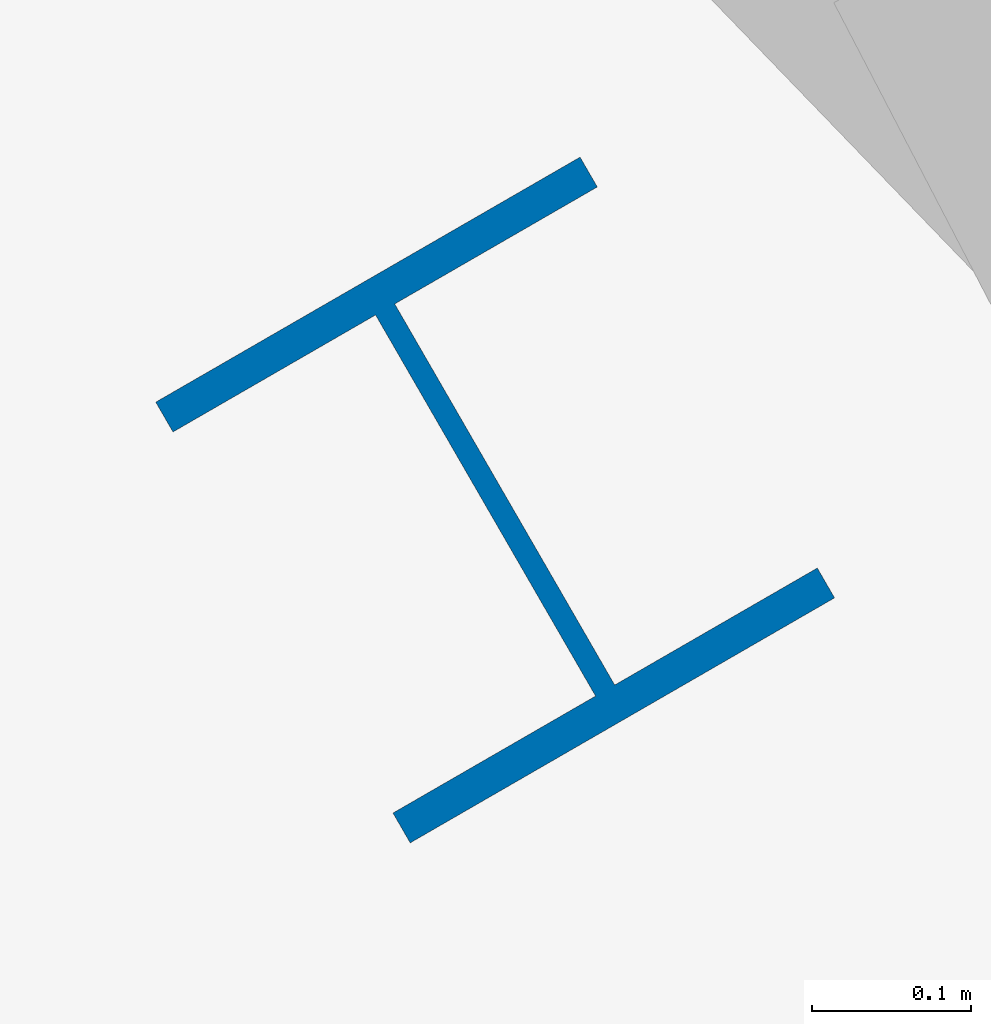
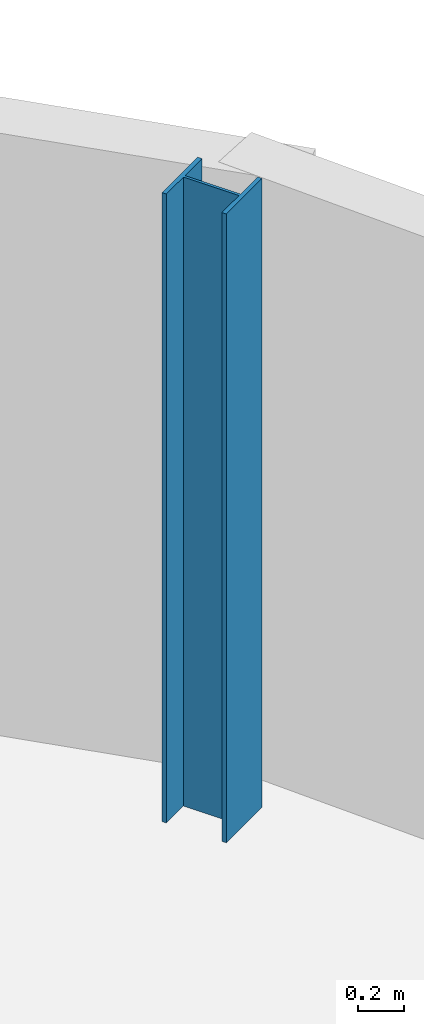
# One storey, part 14 of 35: 1 column.
"""IFC4 building model written with IfcOpenShell, lengths in metres."""

from ifc_helpers import new_model, si_unit, direction, frame, origin, origin_2d, place, context, subcontext, project, spatial, i_section, extrude, material, material_profile, profile_set, type_object, element, save


model = new_model("IFC4")

# Units and contexts
model_context = context("Model", 3, precision=1e-05, world=origin(), true_north=direction((0.0, 1.0)))
body_context = subcontext(model_context, "Body", "Model", "MODEL_VIEW")
ifc_project = project(units=[si_unit("LENGTHUNIT", "METRE"), si_unit("AREAUNIT", "SQUARE_METRE"), si_unit("VOLUMEUNIT", "CUBIC_METRE"), si_unit("PLANEANGLEUNIT", "RADIAN"), si_unit("MASSUNIT", "GRAM", prefix="KILO")], contexts=[model_context])

# Site, building, storey
site_placement = place(None, origin())
site = spatial("IfcSite", under=ifc_project, at=site_placement, CompositionType="ELEMENT")
building_placement = place(site_placement, origin())
building = spatial("IfcBuilding", under=site, at=building_placement, Name="Kalgoora Escarpment Arena", CompositionType="ELEMENT")
storey_placement = place(building_placement, frame((0.0, 0.0, 23.39990234375)))
storey = spatial("IfcBuildingStorey", under=building, at=storey_placement, Name="L05", CompositionType="ELEMENT", Elevation=23.39990234375)

# Column
ifc_material = material(Name="Structural steel AS/NZS 3679 (300 MPa)", Category="steel")
ifc_material_profile = material_profile(ifc_material, i_section(OverallWidth=0.30908203125, OverallDepth=0.321044921875, WebThickness=0.013916015625, FlangeThickness=0.021728515625, at=origin_2d()))
ifc_profile_set = profile_set([ifc_material_profile], Name="Structural steel AS/NZS 3679 (300 MPa)")
column_type = type_object("IfcColumnType", Name="COL-COL-310UC137", PredefinedType="COLUMN", material=ifc_profile_set)
column_placement = place(storey_placement, frame((154.58056640625, 92.5, 0.0), z_axis=(0.0, 0.0, 1.0), x_axis=(0.866025403784, 0.5, 0.0)))
element("IfcColumn", 1, at=column_placement, inside=storey, type_object=column_type, Name="L05 structural column COL-RCONC2-R03", PredefinedType="COLUMN", context=body_context, shape_type="SweptSolid", body=[
    extrude(i_section(OverallWidth=0.30908203125, OverallDepth=0.321044921875, WebThickness=0.013916015625, FlangeThickness=0.021728515625, at=origin_2d()), origin(), (0.0, 0.0, 1.0), 3.320068359375),
])

save(model, "model.ifc")
